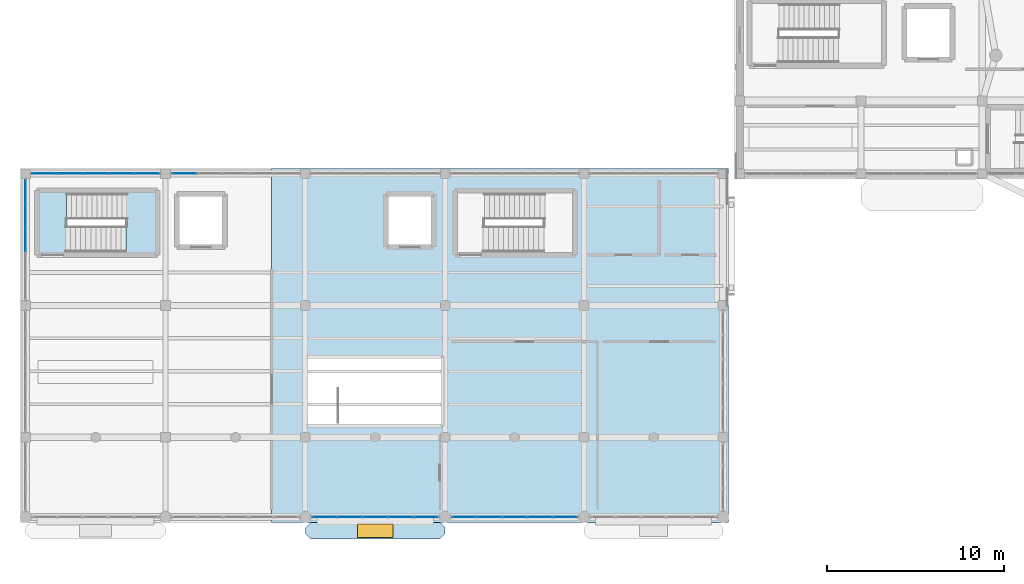
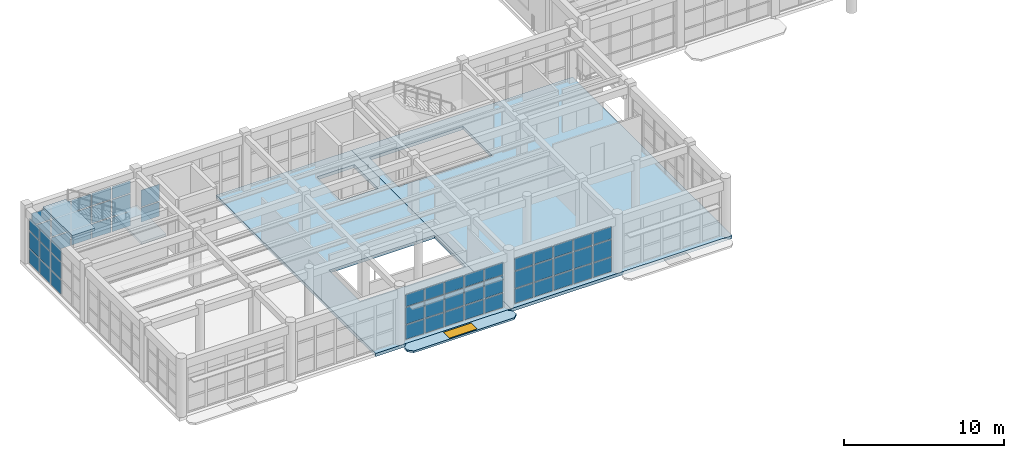
# One storey, part 50 of 85: 56 plates, 5 slabs, 1 window, 1 opening, 6 elements without a shape of their own.
"""IFC4 building model written with IfcOpenShell, lengths in metres."""

from ifc_helpers import new_model, si_unit, direction, frame, origin, origin_2d, place, context, subcontext, project, spatial, polyline, rectangle, outline, extrude, material, layer, layer_set, type_object, element, fill, aggregate, save


model = new_model("IFC4")

# Units and contexts
model_context = context("Model", 3, precision=1e-05, world=origin(), true_north=direction((0.0, 1.0)))
body_context = subcontext(model_context, "Body", "Model", "MODEL_VIEW")
ifc_project = project(units=[si_unit("LENGTHUNIT", "METRE"), si_unit("AREAUNIT", "SQUARE_METRE"), si_unit("VOLUMEUNIT", "CUBIC_METRE"), si_unit("PLANEANGLEUNIT", "RADIAN"), si_unit("MASSUNIT", "GRAM", prefix="KILO")], contexts=[model_context])

# Site, building, storey
site_placement = place(None, origin())
site = spatial("IfcSite", under=ifc_project, at=site_placement, CompositionType="ELEMENT")
building_placement = place(site_placement, origin())
building = spatial("IfcBuilding", under=site, at=building_placement, Name="Candilejo Ridge Gondola Terminal", CompositionType="ELEMENT")
storey_placement = place(building_placement, frame((0.0, 0.0, 4.5)))
storey = spatial("IfcBuildingStorey", under=building, at=storey_placement, Name="L01", CompositionType="ELEMENT", Elevation=4.5)

# Curtain wall, plates
ifc_material_1 = material(Name="Anodised aluminium AA 6063-T6", Category="aluminium")
ifc_layer_1 = layer(ifc_material_1, 0.169921875)
ifc_layer_set_1 = layer_set([ifc_layer_1], Name="ARC-CW-CONCOURSE-3600-730X359")
curtain_wall_type_1 = type_object("IfcCurtainWallType", Name="ARC-CW-CONCOURSE-3600-730X359", PredefinedType="NOTDEFINED", material=ifc_layer_set_1)
curtain_wall_1_placement = place(storey_placement, origin())
curtain_wall_1 = element("IfcCurtainWall", 1, at=curtain_wall_1_placement, inside=storey, type_object=curtain_wall_type_1, Name="Curtain wall V1 L01-002", PredefinedType="NOTDEFINED")
ifc_material_2 = material(Name="Low-E laminated double glazing 6+12A+6+1.52PVB+6 mm", Category="glass")
ifc_layer_2 = layer(ifc_material_2, 0.028076171875)
ifc_layer_set_2 = layer_set([ifc_layer_2], Name="ARC-CW-GLAZ-PANEL")
plate_type = type_object("IfcPlateType", Name="ARC-CW-GLAZ-PANEL", PredefinedType="CURTAIN_PANEL", material=ifc_layer_set_2)
plate_1_placement = place(storey_placement, frame((5.3486328125, 25.699951171875, 0.074951171875), z_axis=(0.0, 0.0, 1.0), x_axis=(1.0, 0.0, 0.0)))
plate_1 = element("IfcPlate", 2, at=plate_1_placement, type_object=plate_type, Name="CW-73X35 panel 1.1", PredefinedType="CURTAIN_PANEL", context=body_context, shape_type="SweptSolid", body=[
    extrude(rectangle(XDim=1.347412109375, YDim=0.028076171875, at=origin_2d()), origin(), (0.0, 0.0, 1.0), 1.08740234375),
])
plate_2_placement = place(storey_placement, frame((5.3486328125, 25.699951171875, 1.237548828125), z_axis=(0.0, 0.0, 1.0), x_axis=(1.0, 0.0, 0.0)))
plate_2 = element("IfcPlate", 3, at=plate_2_placement, type_object=plate_type, Name="CW-73X35 panel 1.2", PredefinedType="CURTAIN_PANEL", context=body_context, shape_type="SweptSolid", body=[
    extrude(rectangle(XDim=1.347412109375, YDim=0.028076171875, at=origin_2d()), origin(), (0.0, 0.0, 1.0), 1.27490234375),
])
plate_3_placement = place(storey_placement, frame((5.3486328125, 25.699951171875, 2.58740234375), z_axis=(0.0, 0.0, 1.0), x_axis=(1.0, 0.0, 0.0)))
plate_3 = element("IfcPlate", 4, at=plate_3_placement, type_object=plate_type, Name="CW-73X35 panel 1.3", PredefinedType="CURTAIN_PANEL", context=body_context, shape_type="SweptSolid", body=[
    extrude(rectangle(XDim=1.347412109375, YDim=0.028076171875, at=origin_2d()), origin(), (0.0, 0.0, 1.0), 0.927490234375),
])
plate_4_placement = place(storey_placement, frame((6.7900390625, 25.699951171875, 0.074951171875), z_axis=(0.0, 0.0, 1.0), x_axis=(1.0, 0.0, 0.0)))
plate_4 = element("IfcPlate", 5, at=plate_4_placement, type_object=plate_type, Name="CW-73X35 panel 2.1", PredefinedType="CURTAIN_PANEL", context=body_context, shape_type="SweptSolid", body=[
    extrude(rectangle(XDim=1.385009765625, YDim=0.028076171875, at=origin_2d()), origin(), (0.0, 0.0, 1.0), 1.08740234375),
])
plate_5_placement = place(storey_placement, frame((6.7900390625, 25.699951171875, 1.237548828125), z_axis=(0.0, 0.0, 1.0), x_axis=(1.0, 0.0, 0.0)))
plate_5 = element("IfcPlate", 6, at=plate_5_placement, type_object=plate_type, Name="CW-73X35 panel 2.2", PredefinedType="CURTAIN_PANEL", context=body_context, shape_type="SweptSolid", body=[
    extrude(rectangle(XDim=1.385009765625, YDim=0.028076171875, at=origin_2d()), origin(), (0.0, 0.0, 1.0), 1.27490234375),
])
plate_6_placement = place(storey_placement, frame((6.7900390625, 25.699951171875, 2.58740234375), z_axis=(0.0, 0.0, 1.0), x_axis=(1.0, 0.0, 0.0)))
plate_6 = element("IfcPlate", 7, at=plate_6_placement, type_object=plate_type, Name="CW-73X35 panel 2.3", PredefinedType="CURTAIN_PANEL", context=body_context, shape_type="SweptSolid", body=[
    extrude(rectangle(XDim=1.385009765625, YDim=0.028076171875, at=origin_2d()), origin(), (0.0, 0.0, 1.0), 0.927490234375),
])
plate_7_placement = place(storey_placement, frame((8.25, 25.699951171875, 0.074951171875), z_axis=(0.0, 0.0, 1.0), x_axis=(1.0, 0.0, 0.0)))
plate_7 = element("IfcPlate", 8, at=plate_7_placement, type_object=plate_type, Name="CW-73X35 panel 3.1", PredefinedType="CURTAIN_PANEL", context=body_context, shape_type="SweptSolid", body=[
    extrude(rectangle(XDim=1.385009765625, YDim=0.028076171875, at=origin_2d()), origin(), (0.0, 0.0, 1.0), 1.08740234375),
])
plate_8_placement = place(storey_placement, frame((8.25, 25.699951171875, 1.237548828125), z_axis=(0.0, 0.0, 1.0), x_axis=(1.0, 0.0, 0.0)))
plate_8 = element("IfcPlate", 9, at=plate_8_placement, type_object=plate_type, Name="CW-73X35 panel 3.2", PredefinedType="CURTAIN_PANEL", context=body_context, shape_type="SweptSolid", body=[
    extrude(rectangle(XDim=1.385009765625, YDim=0.028076171875, at=origin_2d()), origin(), (0.0, 0.0, 1.0), 1.27490234375),
])
plate_9_placement = place(storey_placement, frame((8.25, 25.699951171875, 2.58740234375), z_axis=(0.0, 0.0, 1.0), x_axis=(1.0, 0.0, 0.0)))
plate_9 = element("IfcPlate", 10, at=plate_9_placement, type_object=plate_type, Name="CW-73X35 panel 3.3", PredefinedType="CURTAIN_PANEL", context=body_context, shape_type="SweptSolid", body=[
    extrude(rectangle(XDim=1.385009765625, YDim=0.028076171875, at=origin_2d()), origin(), (0.0, 0.0, 1.0), 0.927490234375),
])
plate_10_placement = place(storey_placement, frame((9.7099609375, 25.699951171875, 0.074951171875), z_axis=(0.0, 0.0, 1.0), x_axis=(1.0, 0.0, 0.0)))
plate_10 = element("IfcPlate", 11, at=plate_10_placement, type_object=plate_type, Name="CW-73X35 panel 4.1", PredefinedType="CURTAIN_PANEL", context=body_context, shape_type="SweptSolid", body=[
    extrude(rectangle(XDim=1.385009765625, YDim=0.028076171875, at=origin_2d()), origin(), (0.0, 0.0, 1.0), 1.08740234375),
])
plate_11_placement = place(storey_placement, frame((9.7099609375, 25.699951171875, 1.237548828125), z_axis=(0.0, 0.0, 1.0), x_axis=(1.0, 0.0, 0.0)))
plate_11 = element("IfcPlate", 12, at=plate_11_placement, type_object=plate_type, Name="CW-73X35 panel 4.2", PredefinedType="CURTAIN_PANEL", context=body_context, shape_type="SweptSolid", body=[
    extrude(rectangle(XDim=1.385009765625, YDim=0.028076171875, at=origin_2d()), origin(), (0.0, 0.0, 1.0), 1.27490234375),
])
plate_12_placement = place(storey_placement, frame((9.7099609375, 25.699951171875, 2.58740234375), z_axis=(0.0, 0.0, 1.0), x_axis=(1.0, 0.0, 0.0)))
plate_12 = element("IfcPlate", 13, at=plate_12_placement, type_object=plate_type, Name="CW-73X35 panel 4.3", PredefinedType="CURTAIN_PANEL", context=body_context, shape_type="SweptSolid", body=[
    extrude(rectangle(XDim=1.385009765625, YDim=0.028076171875, at=origin_2d()), origin(), (0.0, 0.0, 1.0), 0.927490234375),
])
plate_13_placement = place(storey_placement, frame((11.1513671875, 25.699951171875, 0.074951171875), z_axis=(0.0, 0.0, 1.0), x_axis=(1.0, 0.0, 0.0)))
plate_13 = element("IfcPlate", 14, at=plate_13_placement, type_object=plate_type, Name="CW-73X35 panel 5.1", PredefinedType="CURTAIN_PANEL", context=body_context, shape_type="SweptSolid", body=[
    extrude(rectangle(XDim=1.347412109375, YDim=0.028076171875, at=origin_2d()), origin(), (0.0, 0.0, 1.0), 1.08740234375),
])
plate_14_placement = place(storey_placement, frame((11.1513671875, 25.699951171875, 1.237548828125), z_axis=(0.0, 0.0, 1.0), x_axis=(1.0, 0.0, 0.0)))
plate_14 = element("IfcPlate", 15, at=plate_14_placement, type_object=plate_type, Name="CW-73X35 panel 5.2", PredefinedType="CURTAIN_PANEL", context=body_context, shape_type="SweptSolid", body=[
    extrude(rectangle(XDim=1.347412109375, YDim=0.028076171875, at=origin_2d()), origin(), (0.0, 0.0, 1.0), 1.27490234375),
])
plate_15_placement = place(storey_placement, frame((11.1513671875, 25.699951171875, 2.58740234375), z_axis=(0.0, 0.0, 1.0), x_axis=(1.0, 0.0, 0.0)))
plate_15 = element("IfcPlate", 16, at=plate_15_placement, type_object=plate_type, Name="CW-73X35 panel 5.3", PredefinedType="CURTAIN_PANEL", context=body_context, shape_type="SweptSolid", body=[
    extrude(rectangle(XDim=1.347412109375, YDim=0.028076171875, at=origin_2d()), origin(), (0.0, 0.0, 1.0), 0.927490234375),
])
aggregate(curtain_wall_1, [plate_1, plate_2, plate_3, plate_4, plate_5, plate_6, plate_7, plate_8, plate_9, plate_10, plate_11, plate_12, plate_13, plate_14, plate_15])

curtain_wall_2_placement = place(storey_placement, origin())
curtain_wall_2 = element("IfcCurtainWall", 17, at=curtain_wall_2_placement, inside=storey, type_object=curtain_wall_type_1, Name="Curtain wall V1 L01-006", PredefinedType="NOTDEFINED")
plate_16_placement = place(storey_placement, frame((13.248779296875, 25.699951171875, 0.074951171875), z_axis=(0.0, 0.0, 1.0), x_axis=(1.0, 0.0, 0.0)))
plate_16 = element("IfcPlate", 18, at=plate_16_placement, type_object=plate_type, Name="CW-73X35 panel 1.1", PredefinedType="CURTAIN_PANEL", context=body_context, shape_type="SweptSolid", body=[
    extrude(rectangle(XDim=1.347412109375, YDim=0.028076171875, at=origin_2d()), origin(), (0.0, 0.0, 1.0), 1.08740234375),
])
plate_17_placement = place(storey_placement, frame((13.248779296875, 25.699951171875, 1.237548828125), z_axis=(0.0, 0.0, 1.0), x_axis=(1.0, 0.0, 0.0)))
plate_17 = element("IfcPlate", 19, at=plate_17_placement, type_object=plate_type, Name="CW-73X35 panel 1.2", PredefinedType="CURTAIN_PANEL", context=body_context, shape_type="SweptSolid", body=[
    extrude(rectangle(XDim=1.347412109375, YDim=0.028076171875, at=origin_2d()), origin(), (0.0, 0.0, 1.0), 1.27490234375),
])
aggregate(curtain_wall_2, [plate_16, plate_17])

ifc_material_3 = material(Name="Anodised aluminium AA 6063-T6", Category="aluminium")
ifc_layer_3 = layer(ifc_material_3, 0.169921875)
ifc_layer_set_3 = layer_set([ifc_layer_3], Name="ARC-CW-CONCOURSE-3600-720X359")
curtain_wall_type_2 = type_object("IfcCurtainWallType", Name="ARC-CW-CONCOURSE-3600-720X359", PredefinedType="NOTDEFINED", material=ifc_layer_set_3)
curtain_wall_3_placement = place(storey_placement, origin())
curtain_wall_3 = element("IfcCurtainWall", 20, at=curtain_wall_3_placement, inside=storey, type_object=curtain_wall_type_2, Name="Curtain wall V1 L01-009", PredefinedType="NOTDEFINED")
plate_18_placement = place(storey_placement, frame((21.188720703125, 6.300048828125, 0.074951171875), z_axis=(0.0, 0.0, 1.0), x_axis=(1.0, 0.0, 0.0)))
plate_18 = element("IfcPlate", 21, at=plate_18_placement, type_object=plate_type, Name="CW-72X35 panel 1.1", PredefinedType="CURTAIN_PANEL", context=body_context, shape_type="SweptSolid", body=[
    extrude(rectangle(XDim=1.327392578125, YDim=0.028076171875, at=origin_2d()), origin(), (0.0, 0.0, 1.0), 1.08740234375),
])
plate_19_placement = place(storey_placement, frame((21.188720703125, 6.300048828125, 1.237548828125), z_axis=(0.0, 0.0, 1.0), x_axis=(1.0, 0.0, 0.0)))
plate_19 = element("IfcPlate", 22, at=plate_19_placement, type_object=plate_type, Name="CW-72X35 panel 1.2", PredefinedType="CURTAIN_PANEL", context=body_context, shape_type="SweptSolid", body=[
    extrude(rectangle(XDim=1.327392578125, YDim=0.028076171875, at=origin_2d()), origin(), (0.0, 0.0, 1.0), 1.27490234375),
])
plate_20_placement = place(storey_placement, frame((21.188720703125, 6.300048828125, 2.58740234375), z_axis=(0.0, 0.0, 1.0), x_axis=(1.0, 0.0, 0.0)))
plate_20 = element("IfcPlate", 23, at=plate_20_placement, type_object=plate_type, Name="CW-72X35 panel 1.3", PredefinedType="CURTAIN_PANEL", context=body_context, shape_type="SweptSolid", body=[
    extrude(rectangle(XDim=1.327392578125, YDim=0.028076171875, at=origin_2d()), origin(), (0.0, 0.0, 1.0), 0.927490234375),
])
plate_21_placement = place(storey_placement, frame((22.610107421875, 6.300048828125, 0.074951171875), z_axis=(0.0, 0.0, 1.0), x_axis=(1.0, 0.0, 0.0)))
plate_21 = element("IfcPlate", 24, at=plate_21_placement, type_object=plate_type, Name="CW-72X35 panel 2.1", PredefinedType="CURTAIN_PANEL", context=body_context, shape_type="SweptSolid", body=[
    extrude(rectangle(XDim=1.364990234375, YDim=0.028076171875, at=origin_2d()), origin(), (0.0, 0.0, 1.0), 1.08740234375),
])
plate_22_placement = place(storey_placement, frame((22.610107421875, 6.300048828125, 1.237548828125), z_axis=(0.0, 0.0, 1.0), x_axis=(1.0, 0.0, 0.0)))
plate_22 = element("IfcPlate", 25, at=plate_22_placement, type_object=plate_type, Name="CW-72X35 panel 2.2", PredefinedType="CURTAIN_PANEL", context=body_context, shape_type="SweptSolid", body=[
    extrude(rectangle(XDim=1.364990234375, YDim=0.028076171875, at=origin_2d()), origin(), (0.0, 0.0, 1.0), 1.27490234375),
])
plate_23_placement = place(storey_placement, frame((22.610107421875, 6.300048828125, 2.58740234375), z_axis=(0.0, 0.0, 1.0), x_axis=(1.0, 0.0, 0.0)))
plate_23 = element("IfcPlate", 26, at=plate_23_placement, type_object=plate_type, Name="CW-72X35 panel 2.3", PredefinedType="CURTAIN_PANEL", context=body_context, shape_type="SweptSolid", body=[
    extrude(rectangle(XDim=1.364990234375, YDim=0.028076171875, at=origin_2d()), origin(), (0.0, 0.0, 1.0), 0.927490234375),
])
plate_24_placement = place(storey_placement, frame((24.050048828125, 6.300048828125, 0.074951171875), z_axis=(0.0, 0.0, 1.0), x_axis=(1.0, 0.0, 0.0)))
plate_24 = element("IfcPlate", 27, at=plate_24_placement, type_object=plate_type, Name="CW-72X35 panel 3.1", PredefinedType="CURTAIN_PANEL", context=body_context, shape_type="SweptSolid", body=[
    extrude(rectangle(XDim=1.364990234375, YDim=0.028076171875, at=origin_2d()), origin(), (0.0, 0.0, 1.0), 1.08740234375),
])
plate_25_placement = place(storey_placement, frame((24.050048828125, 6.300048828125, 1.237548828125), z_axis=(0.0, 0.0, 1.0), x_axis=(1.0, 0.0, 0.0)))
plate_25 = element("IfcPlate", 28, at=plate_25_placement, type_object=plate_type, Name="CW-72X35 panel 3.2", PredefinedType="CURTAIN_PANEL", context=body_context, shape_type="SweptSolid", body=[
    extrude(rectangle(XDim=1.364990234375, YDim=0.028076171875, at=origin_2d()), origin(), (0.0, 0.0, 1.0), 1.27490234375),
])
plate_26_placement = place(storey_placement, frame((24.050048828125, 6.300048828125, 2.58740234375), z_axis=(0.0, 0.0, 1.0), x_axis=(1.0, 0.0, 0.0)))
plate_26 = element("IfcPlate", 29, at=plate_26_placement, type_object=plate_type, Name="CW-72X35 panel 3.3", PredefinedType="CURTAIN_PANEL", context=body_context, shape_type="SweptSolid", body=[
    extrude(rectangle(XDim=1.364990234375, YDim=0.028076171875, at=origin_2d()), origin(), (0.0, 0.0, 1.0), 0.927490234375),
])
plate_27_placement = place(storey_placement, frame((25.489990234375, 6.300048828125, 0.074951171875), z_axis=(0.0, 0.0, 1.0), x_axis=(1.0, 0.0, 0.0)))
plate_27 = element("IfcPlate", 30, at=plate_27_placement, type_object=plate_type, Name="CW-72X35 panel 4.1", PredefinedType="CURTAIN_PANEL", context=body_context, shape_type="SweptSolid", body=[
    extrude(rectangle(XDim=1.364990234375, YDim=0.028076171875, at=origin_2d()), origin(), (0.0, 0.0, 1.0), 1.08740234375),
])
plate_28_placement = place(storey_placement, frame((25.489990234375, 6.300048828125, 1.237548828125), z_axis=(0.0, 0.0, 1.0), x_axis=(1.0, 0.0, 0.0)))
plate_28 = element("IfcPlate", 31, at=plate_28_placement, type_object=plate_type, Name="CW-72X35 panel 4.2", PredefinedType="CURTAIN_PANEL", context=body_context, shape_type="SweptSolid", body=[
    extrude(rectangle(XDim=1.364990234375, YDim=0.028076171875, at=origin_2d()), origin(), (0.0, 0.0, 1.0), 1.27490234375),
])
plate_29_placement = place(storey_placement, frame((25.489990234375, 6.300048828125, 2.58740234375), z_axis=(0.0, 0.0, 1.0), x_axis=(1.0, 0.0, 0.0)))
plate_29 = element("IfcPlate", 32, at=plate_29_placement, type_object=plate_type, Name="CW-72X35 panel 4.3", PredefinedType="CURTAIN_PANEL", context=body_context, shape_type="SweptSolid", body=[
    extrude(rectangle(XDim=1.364990234375, YDim=0.028076171875, at=origin_2d()), origin(), (0.0, 0.0, 1.0), 0.927490234375),
])
plate_30_placement = place(storey_placement, frame((26.9111328125, 6.300048828125, 0.074951171875), z_axis=(0.0, 0.0, 1.0), x_axis=(1.0, 0.0, 0.0)))
plate_30 = element("IfcPlate", 33, at=plate_30_placement, type_object=plate_type, Name="CW-72X35 panel 5.1", PredefinedType="CURTAIN_PANEL", context=body_context, shape_type="SweptSolid", body=[
    extrude(rectangle(XDim=1.327392578125, YDim=0.028076171875, at=origin_2d()), origin(), (0.0, 0.0, 1.0), 1.08740234375),
])
plate_31_placement = place(storey_placement, frame((26.9111328125, 6.300048828125, 1.237548828125), z_axis=(0.0, 0.0, 1.0), x_axis=(1.0, 0.0, 0.0)))
plate_31 = element("IfcPlate", 34, at=plate_31_placement, type_object=plate_type, Name="CW-72X35 panel 5.2", PredefinedType="CURTAIN_PANEL", context=body_context, shape_type="SweptSolid", body=[
    extrude(rectangle(XDim=1.327392578125, YDim=0.028076171875, at=origin_2d()), origin(), (0.0, 0.0, 1.0), 1.27490234375),
])
plate_32_placement = place(storey_placement, frame((26.9111328125, 6.300048828125, 2.58740234375), z_axis=(0.0, 0.0, 1.0), x_axis=(1.0, 0.0, 0.0)))
plate_32 = element("IfcPlate", 35, at=plate_32_placement, type_object=plate_type, Name="CW-72X35 panel 5.3", PredefinedType="CURTAIN_PANEL", context=body_context, shape_type="SweptSolid", body=[
    extrude(rectangle(XDim=1.327392578125, YDim=0.028076171875, at=origin_2d()), origin(), (0.0, 0.0, 1.0), 0.927490234375),
])
aggregate(curtain_wall_3, [plate_18, plate_19, plate_20, plate_21, plate_22, plate_23, plate_24, plate_25, plate_26, plate_27, plate_28, plate_29, plate_30, plate_31, plate_32])

ifc_material_4 = material(Name="Anodised aluminium AA 6063-T6", Category="aluminium")
ifc_layer_4 = layer(ifc_material_4, 0.169921875)
ifc_layer_set_4 = layer_set([ifc_layer_4], Name="ARC-CW-CONCOURSE-3600-715X359")
curtain_wall_type_3 = type_object("IfcCurtainWallType", Name="ARC-CW-CONCOURSE-3600-715X359", PredefinedType="NOTDEFINED", material=ifc_layer_set_4)
curtain_wall_4_placement = place(storey_placement, origin())
curtain_wall_4 = element("IfcCurtainWall", 36, at=curtain_wall_4_placement, inside=storey, type_object=curtain_wall_type_3, Name="Curtain wall V1 L01-013", PredefinedType="NOTDEFINED")
plate_33_placement = place(storey_placement, frame((29.083740234375, 6.300048828125, 0.074951171875), z_axis=(0.0, 0.0, 1.0), x_axis=(1.0, 0.0, 0.0)))
plate_33 = element("IfcPlate", 37, at=plate_33_placement, type_object=plate_type, Name="CW-71X35 panel 1.1", PredefinedType="CURTAIN_PANEL", context=body_context, shape_type="SweptSolid", body=[
    extrude(rectangle(XDim=1.3173828125, YDim=0.028076171875, at=origin_2d()), origin(), (0.0, 0.0, 1.0), 1.08740234375),
])
plate_34_placement = place(storey_placement, frame((29.083740234375, 6.300048828125, 1.237548828125), z_axis=(0.0, 0.0, 1.0), x_axis=(1.0, 0.0, 0.0)))
plate_34 = element("IfcPlate", 38, at=plate_34_placement, type_object=plate_type, Name="CW-71X35 panel 1.2", PredefinedType="CURTAIN_PANEL", context=body_context, shape_type="SweptSolid", body=[
    extrude(rectangle(XDim=1.3173828125, YDim=0.028076171875, at=origin_2d()), origin(), (0.0, 0.0, 1.0), 1.27490234375),
])
plate_35_placement = place(storey_placement, frame((29.083740234375, 6.300048828125, 2.58740234375), z_axis=(0.0, 0.0, 1.0), x_axis=(1.0, 0.0, 0.0)))
plate_35 = element("IfcPlate", 39, at=plate_35_placement, type_object=plate_type, Name="CW-71X35 panel 1.3", PredefinedType="CURTAIN_PANEL", context=body_context, shape_type="SweptSolid", body=[
    extrude(rectangle(XDim=1.3173828125, YDim=0.028076171875, at=origin_2d()), origin(), (0.0, 0.0, 1.0), 0.927490234375),
])
plate_36_placement = place(storey_placement, frame((30.4951171875, 6.300048828125, 0.074951171875), z_axis=(0.0, 0.0, 1.0), x_axis=(1.0, 0.0, 0.0)))
plate_36 = element("IfcPlate", 40, at=plate_36_placement, type_object=plate_type, Name="CW-71X35 panel 2.1", PredefinedType="CURTAIN_PANEL", context=body_context, shape_type="SweptSolid", body=[
    extrude(rectangle(XDim=1.35498046875, YDim=0.028076171875, at=origin_2d()), origin(), (0.0, 0.0, 1.0), 1.08740234375),
])
plate_37_placement = place(storey_placement, frame((30.4951171875, 6.300048828125, 1.237548828125), z_axis=(0.0, 0.0, 1.0), x_axis=(1.0, 0.0, 0.0)))
plate_37 = element("IfcPlate", 41, at=plate_37_placement, type_object=plate_type, Name="CW-71X35 panel 2.2", PredefinedType="CURTAIN_PANEL", context=body_context, shape_type="SweptSolid", body=[
    extrude(rectangle(XDim=1.35498046875, YDim=0.028076171875, at=origin_2d()), origin(), (0.0, 0.0, 1.0), 1.27490234375),
])
plate_38_placement = place(storey_placement, frame((30.4951171875, 6.300048828125, 2.58740234375), z_axis=(0.0, 0.0, 1.0), x_axis=(1.0, 0.0, 0.0)))
plate_38 = element("IfcPlate", 42, at=plate_38_placement, type_object=plate_type, Name="CW-71X35 panel 2.3", PredefinedType="CURTAIN_PANEL", context=body_context, shape_type="SweptSolid", body=[
    extrude(rectangle(XDim=1.35498046875, YDim=0.028076171875, at=origin_2d()), origin(), (0.0, 0.0, 1.0), 0.927490234375),
])
plate_39_placement = place(storey_placement, frame((31.925048828125, 6.300048828125, 0.074951171875), z_axis=(0.0, 0.0, 1.0), x_axis=(1.0, 0.0, 0.0)))
plate_39 = element("IfcPlate", 43, at=plate_39_placement, type_object=plate_type, Name="CW-71X35 panel 3.1", PredefinedType="CURTAIN_PANEL", context=body_context, shape_type="SweptSolid", body=[
    extrude(rectangle(XDim=1.35498046875, YDim=0.028076171875, at=origin_2d()), origin(), (0.0, 0.0, 1.0), 1.08740234375),
])
plate_40_placement = place(storey_placement, frame((31.925048828125, 6.300048828125, 1.237548828125), z_axis=(0.0, 0.0, 1.0), x_axis=(1.0, 0.0, 0.0)))
plate_40 = element("IfcPlate", 44, at=plate_40_placement, type_object=plate_type, Name="CW-71X35 panel 3.2", PredefinedType="CURTAIN_PANEL", context=body_context, shape_type="SweptSolid", body=[
    extrude(rectangle(XDim=1.35498046875, YDim=0.028076171875, at=origin_2d()), origin(), (0.0, 0.0, 1.0), 1.27490234375),
])
plate_41_placement = place(storey_placement, frame((31.925048828125, 6.300048828125, 2.58740234375), z_axis=(0.0, 0.0, 1.0), x_axis=(1.0, 0.0, 0.0)))
plate_41 = element("IfcPlate", 45, at=plate_41_placement, type_object=plate_type, Name="CW-71X35 panel 3.3", PredefinedType="CURTAIN_PANEL", context=body_context, shape_type="SweptSolid", body=[
    extrude(rectangle(XDim=1.35498046875, YDim=0.028076171875, at=origin_2d()), origin(), (0.0, 0.0, 1.0), 0.927490234375),
])
plate_42_placement = place(storey_placement, frame((33.35498046875, 6.300048828125, 0.074951171875), z_axis=(0.0, 0.0, 1.0), x_axis=(1.0, 0.0, 0.0)))
plate_42 = element("IfcPlate", 46, at=plate_42_placement, type_object=plate_type, Name="CW-71X35 panel 4.1", PredefinedType="CURTAIN_PANEL", context=body_context, shape_type="SweptSolid", body=[
    extrude(rectangle(XDim=1.35498046875, YDim=0.028076171875, at=origin_2d()), origin(), (0.0, 0.0, 1.0), 1.08740234375),
])
plate_43_placement = place(storey_placement, frame((33.35498046875, 6.300048828125, 1.237548828125), z_axis=(0.0, 0.0, 1.0), x_axis=(1.0, 0.0, 0.0)))
plate_43 = element("IfcPlate", 47, at=plate_43_placement, type_object=plate_type, Name="CW-71X35 panel 4.2", PredefinedType="CURTAIN_PANEL", context=body_context, shape_type="SweptSolid", body=[
    extrude(rectangle(XDim=1.35498046875, YDim=0.028076171875, at=origin_2d()), origin(), (0.0, 0.0, 1.0), 1.27490234375),
])
plate_44_placement = place(storey_placement, frame((33.35498046875, 6.300048828125, 2.58740234375), z_axis=(0.0, 0.0, 1.0), x_axis=(1.0, 0.0, 0.0)))
plate_44 = element("IfcPlate", 48, at=plate_44_placement, type_object=plate_type, Name="CW-71X35 panel 4.3", PredefinedType="CURTAIN_PANEL", context=body_context, shape_type="SweptSolid", body=[
    extrude(rectangle(XDim=1.35498046875, YDim=0.028076171875, at=origin_2d()), origin(), (0.0, 0.0, 1.0), 0.927490234375),
])
plate_45_placement = place(storey_placement, frame((34.766357421875, 6.300048828125, 0.074951171875), z_axis=(0.0, 0.0, 1.0), x_axis=(1.0, 0.0, 0.0)))
plate_45 = element("IfcPlate", 49, at=plate_45_placement, type_object=plate_type, Name="CW-71X35 panel 5.1", PredefinedType="CURTAIN_PANEL", context=body_context, shape_type="SweptSolid", body=[
    extrude(rectangle(XDim=1.3173828125, YDim=0.028076171875, at=origin_2d()), origin(), (0.0, 0.0, 1.0), 1.08740234375),
])
plate_46_placement = place(storey_placement, frame((34.766357421875, 6.300048828125, 1.237548828125), z_axis=(0.0, 0.0, 1.0), x_axis=(1.0, 0.0, 0.0)))
plate_46 = element("IfcPlate", 50, at=plate_46_placement, type_object=plate_type, Name="CW-71X35 panel 5.2", PredefinedType="CURTAIN_PANEL", context=body_context, shape_type="SweptSolid", body=[
    extrude(rectangle(XDim=1.3173828125, YDim=0.028076171875, at=origin_2d()), origin(), (0.0, 0.0, 1.0), 1.27490234375),
])
plate_47_placement = place(storey_placement, frame((34.766357421875, 6.300048828125, 2.58740234375), z_axis=(0.0, 0.0, 1.0), x_axis=(1.0, 0.0, 0.0)))
plate_47 = element("IfcPlate", 51, at=plate_47_placement, type_object=plate_type, Name="CW-71X35 panel 5.3", PredefinedType="CURTAIN_PANEL", context=body_context, shape_type="SweptSolid", body=[
    extrude(rectangle(XDim=1.3173828125, YDim=0.028076171875, at=origin_2d()), origin(), (0.0, 0.0, 1.0), 0.927490234375),
])
aggregate(curtain_wall_4, [plate_33, plate_34, plate_35, plate_36, plate_37, plate_38, plate_39, plate_40, plate_41, plate_42, plate_43, plate_44, plate_45, plate_46, plate_47])

ifc_material_5 = material(Name="Anodised aluminium AA 6063-T6", Category="aluminium")
ifc_layer_5 = layer(ifc_material_5, 0.169921875)
ifc_layer_set_5 = layer_set([ifc_layer_5], Name="ARC-CW-CONCOURSE-3600-685X359")
curtain_wall_type_4 = type_object("IfcCurtainWallType", Name="ARC-CW-CONCOURSE-3600-685X359", PredefinedType="NOTDEFINED", material=ifc_layer_set_5)
curtain_wall_5_placement = place(storey_placement, origin())
curtain_wall_5 = element("IfcCurtainWall", 52, at=curtain_wall_5_placement, inside=storey, type_object=curtain_wall_type_4, Name="Curtain wall V1 L01-021", PredefinedType="NOTDEFINED")
plate_48_placement = place(storey_placement, frame((4.300048828125, 21.97509765625, 0.074951171875), z_axis=(0.0, 0.0, 1.0), x_axis=(0.0, 1.0, 0.0)))
plate_48 = element("IfcPlate", 53, at=plate_48_placement, type_object=plate_type, Name="CW-68X35 panel 3.1", PredefinedType="CURTAIN_PANEL", context=body_context, shape_type="SweptSolid", body=[
    extrude(rectangle(XDim=1.294921875, YDim=0.028076171875, at=origin_2d()), origin(), (0.0, 0.0, 1.0), 1.08740234375),
])
plate_49_placement = place(storey_placement, frame((4.300048828125, 21.97509765625, 1.237548828125), z_axis=(0.0, 0.0, 1.0), x_axis=(0.0, 1.0, 0.0)))
plate_49 = element("IfcPlate", 54, at=plate_49_placement, type_object=plate_type, Name="CW-68X35 panel 3.2", PredefinedType="CURTAIN_PANEL", context=body_context, shape_type="SweptSolid", body=[
    extrude(rectangle(XDim=1.294921875, YDim=0.028076171875, at=origin_2d()), origin(), (0.0, 0.0, 1.0), 1.27490234375),
])
plate_50_placement = place(storey_placement, frame((4.300048828125, 21.97509765625, 2.58740234375), z_axis=(0.0, 0.0, 1.0), x_axis=(0.0, 1.0, 0.0)))
plate_50 = element("IfcPlate", 55, at=plate_50_placement, type_object=plate_type, Name="CW-68X35 panel 3.3", PredefinedType="CURTAIN_PANEL", context=body_context, shape_type="SweptSolid", body=[
    extrude(rectangle(XDim=1.294921875, YDim=0.028076171875, at=origin_2d()), origin(), (0.0, 0.0, 1.0), 0.927490234375),
])
plate_51_placement = place(storey_placement, frame((4.300048828125, 23.344970703125, 0.074951171875), z_axis=(0.0, 0.0, 1.0), x_axis=(0.0, 1.0, 0.0)))
plate_51 = element("IfcPlate", 56, at=plate_51_placement, type_object=plate_type, Name="CW-68X35 panel 4.1", PredefinedType="CURTAIN_PANEL", context=body_context, shape_type="SweptSolid", body=[
    extrude(rectangle(XDim=1.294921875, YDim=0.028076171875, at=origin_2d()), origin(), (0.0, 0.0, 1.0), 1.08740234375),
])
plate_52_placement = place(storey_placement, frame((4.300048828125, 23.344970703125, 1.237548828125), z_axis=(0.0, 0.0, 1.0), x_axis=(0.0, 1.0, 0.0)))
plate_52 = element("IfcPlate", 57, at=plate_52_placement, type_object=plate_type, Name="CW-68X35 panel 4.2", PredefinedType="CURTAIN_PANEL", context=body_context, shape_type="SweptSolid", body=[
    extrude(rectangle(XDim=1.294921875, YDim=0.028076171875, at=origin_2d()), origin(), (0.0, 0.0, 1.0), 1.27490234375),
])
plate_53_placement = place(storey_placement, frame((4.300048828125, 23.344970703125, 2.58740234375), z_axis=(0.0, 0.0, 1.0), x_axis=(0.0, 1.0, 0.0)))
plate_53 = element("IfcPlate", 58, at=plate_53_placement, type_object=plate_type, Name="CW-68X35 panel 4.3", PredefinedType="CURTAIN_PANEL", context=body_context, shape_type="SweptSolid", body=[
    extrude(rectangle(XDim=1.294921875, YDim=0.028076171875, at=origin_2d()), origin(), (0.0, 0.0, 1.0), 0.927490234375),
])
plate_54_placement = place(storey_placement, frame((4.300048828125, 24.6962890625, 0.074951171875), z_axis=(0.0, 0.0, 1.0), x_axis=(0.0, 1.0, 0.0)))
plate_54 = element("IfcPlate", 59, at=plate_54_placement, type_object=plate_type, Name="CW-68X35 panel 5.1", PredefinedType="CURTAIN_PANEL", context=body_context, shape_type="SweptSolid", body=[
    extrude(rectangle(XDim=1.257568359375, YDim=0.028076171875, at=origin_2d()), origin(), (0.0, 0.0, 1.0), 1.08740234375),
])
plate_55_placement = place(storey_placement, frame((4.300048828125, 24.6962890625, 1.237548828125), z_axis=(0.0, 0.0, 1.0), x_axis=(0.0, 1.0, 0.0)))
plate_55 = element("IfcPlate", 60, at=plate_55_placement, type_object=plate_type, Name="CW-68X35 panel 5.2", PredefinedType="CURTAIN_PANEL", context=body_context, shape_type="SweptSolid", body=[
    extrude(rectangle(XDim=1.257568359375, YDim=0.028076171875, at=origin_2d()), origin(), (0.0, 0.0, 1.0), 1.27490234375),
])
plate_56_placement = place(storey_placement, frame((4.300048828125, 24.6962890625, 2.58740234375), z_axis=(0.0, 0.0, 1.0), x_axis=(0.0, 1.0, 0.0)))
plate_56 = element("IfcPlate", 61, at=plate_56_placement, type_object=plate_type, Name="CW-68X35 panel 5.3", PredefinedType="CURTAIN_PANEL", context=body_context, shape_type="SweptSolid", body=[
    extrude(rectangle(XDim=1.257568359375, YDim=0.028076171875, at=origin_2d()), origin(), (0.0, 0.0, 1.0), 0.927490234375),
])
aggregate(curtain_wall_5, [plate_48, plate_49, plate_50, plate_51, plate_52, plate_53, plate_54, plate_55, plate_56])

# Slab, opening, window
ifc_material_6 = material(Name="Concrete f'c 35 MPa (C35/45)", Category="concrete")
ifc_layer_6 = layer(ifc_material_6, 0.14990234375)
ifc_layer_set_6 = layer_set([ifc_layer_6], Name="STR-CANOPY-DECK-150")
slab_type_1 = type_object("IfcSlabType", Name="STR-CANOPY-DECK-150", PredefinedType="USERDEFINED", material=ifc_layer_set_6)
slab_1_placement = place(storey_placement, frame((0.0, 0.0, -0.14990234375)))
slab_1 = element("IfcSlab", 62, at=slab_1_placement, inside=storey, type_object=slab_type_1, Name="Slab CN-V1-M", ObjectType="CANOPY DECK", PredefinedType="USERDEFINED", context=body_context, shape_type="SweptSolid", body=[
    extrude(outline(polyline([(20.404052734375, 5.050048828125), (27.696044921875, 5.050048828125), (28.0, 5.35400390625), (28.0, 5.696044921875), (27.696044921875, 6.0), (20.404052734375, 6.0), (20.10009765625, 5.696044921875), (20.10009765625, 5.35400390625), (20.404052734375, 5.050048828125)])), origin(), (0.0, 0.0, 1.0), 0.14990234375),
])
opening_placement = place(slab_1_placement, frame((24.050048828125, 5.52001953125, 0.0)))
opening = element("IfcOpeningElement", 63, at=opening_placement, cuts=slab_1, Name="Opening SK-02", PredefinedType="OPENING", context=body_context, shape_type="SweptSolid", body=[
    extrude(rectangle(XDim=2.0, YDim=0.75, at=origin_2d()), origin(), (0.0, 0.0, 1.0), 0.14990234375),
])
ifc_material_7 = material(Name="Laminated solar-control skylight double glazing", Category="glass")
window_type = type_object("IfcWindowType", Name="ARC-SKYLIGHT-2000", PartitioningType="SINGLE_PANEL", PredefinedType="SKYLIGHT", material=ifc_material_7)
window_placement = place(opening_placement, frame((0.0, 0.0, 0.099853515625)))
window = element("IfcWindow", 64, at=window_placement, inside=storey, type_object=window_type, Name="Canopy daylight skylight SKY-02", OverallHeight=0.75, OverallWidth=2.0, PartitioningType="SINGLE_PANEL", PredefinedType="SKYLIGHT", context=body_context, shape_type="SweptSolid", body=[
    extrude(rectangle(XDim=2.0, YDim=0.75, at=origin_2d()), origin(), (0.0, 0.0, 1.0), 0.050048828125),
])
fill(opening, window)

# Slabs
ifc_material_8 = material(Name="Concrete f'c 35 MPa (C35/45)", Category="concrete")
ifc_layer_7 = layer(ifc_material_8, 0.239990234375)
ifc_layer_set_7 = layer_set([ifc_layer_7], Name="STR-FLOOR-SLAB-240")
slab_type_2 = type_object("IfcSlabType", Name="STR-FLOOR-SLAB-240", PredefinedType="FLOOR", material=ifc_layer_set_7)
slab_2_placement = place(storey_placement, frame((0.0, 0.0, -0.239990234375)))
element("IfcSlab", 65, at=slab_2_placement, inside=storey, type_object=slab_type_2, Name="Slab SLB-V1-L01-M", PredefinedType="FLOOR", context=body_context, shape_type="SweptSolid", body=[
    extrude(outline(polyline([(18.199951171875, 6.0), (28.0, 6.0), (28.0, 26.0), (18.199951171875, 26.0), (18.199951171875, 6.0)]), holes=[polyline([(24.64990234375, 21.550048828125), (27.35009765625, 21.550048828125), (27.35009765625, 24.550048828125), (24.64990234375, 24.550048828125), (24.64990234375, 21.550048828125)]), polyline([(20.199951171875, 11.449951171875), (27.85009765625, 11.449951171875), (27.85009765625, 15.35009765625), (20.199951171875, 15.35009765625), (20.199951171875, 11.449951171875)])]), origin(), (0.0, 0.0, 1.0), 0.239990234375),
])
slab_3_placement = place(storey_placement, frame((0.0, 0.0, -0.239990234375)))
element("IfcSlab", 66, at=slab_3_placement, inside=storey, type_object=slab_type_2, Name="Slab SLB-V1-L01-E", PredefinedType="FLOOR", context=body_context, shape_type="SweptSolid", body=[
    extrude(outline(polyline([(28.0, 6.0), (44.0, 6.0), (44.0, 26.0), (28.0, 26.0), (28.0, 6.0)]), holes=[polyline([(28.550048828125, 21.10009765625), (35.35009765625, 21.10009765625), (35.35009765625, 24.75), (28.550048828125, 24.75), (28.550048828125, 21.10009765625)])]), origin(), (0.0, 0.0, 1.0), 0.239990234375),
])

# Stair, slabs
ifc_material_9 = material(Name="Concrete f'c 35 MPa (C35/45)", Category="concrete")
stair_type = type_object("IfcStairType", Name="STR-STAIR-1450-4500", PredefinedType="HALF_TURN_STAIR", material=ifc_material_9)
stair_placement = place(storey_placement, origin())
stair = element("IfcStair", 67, at=stair_placement, inside=storey, type_object=stair_type, Name="Enclosed fire exit stair ST-V1A-L01", PredefinedType="HALF_TURN_STAIR")
ifc_material_10 = material(Name="Concrete f'c 35 MPa (C35/45)", Category="concrete")
ifc_layer_8 = layer(ifc_material_10, 0.199951171875)
ifc_layer_set_8 = layer_set([ifc_layer_8], Name="STR-STAIR-LANDING-200")
slab_type_3 = type_object("IfcSlabType", Name="STR-STAIR-LANDING-200", PredefinedType="LANDING", material=ifc_layer_set_8)
slab_4_placement = place(storey_placement, frame((0.0, 0.0, 2.050048828125)))
slab_4 = element("IfcSlab", 68, at=slab_4_placement, type_object=slab_type_3, Name="Stair half-landing ST-V1A-LND-02", PredefinedType="LANDING", context=body_context, shape_type="SweptSolid", body=[
    extrude(outline(polyline([(9.969970703125, 21.10009765625), (11.75, 21.10009765625), (11.75, 24.75), (9.969970703125, 24.75), (9.969970703125, 21.10009765625)])), origin(), (0.0, 0.0, 1.0), 0.199951171875),
])
slab_5_placement = place(storey_placement, frame((0.0, 0.0, 4.300048828125)))
slab_5 = element("IfcSlab", 69, at=slab_5_placement, type_object=slab_type_3, Name="Stair floor landing ST-V1A-L01-ARR-L02", PredefinedType="LANDING", context=body_context, shape_type="SweptSolid", body=[
    extrude(outline(polyline([(4.949951171875, 21.10009765625), (6.610107421875, 21.10009765625), (6.610107421875, 24.75), (4.949951171875, 24.75), (4.949951171875, 21.10009765625)])), origin(), (0.0, 0.0, 1.0), 0.199951171875),
])
aggregate(stair, [slab_4, slab_5])

save(model, "model.ifc")
